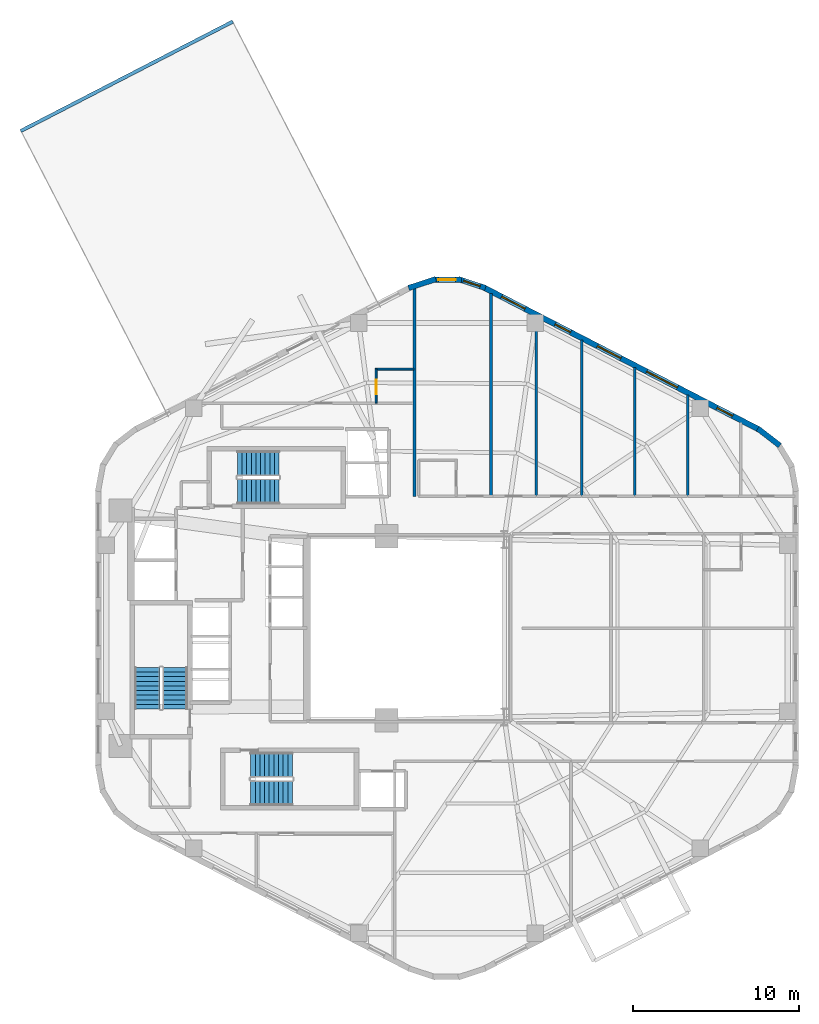
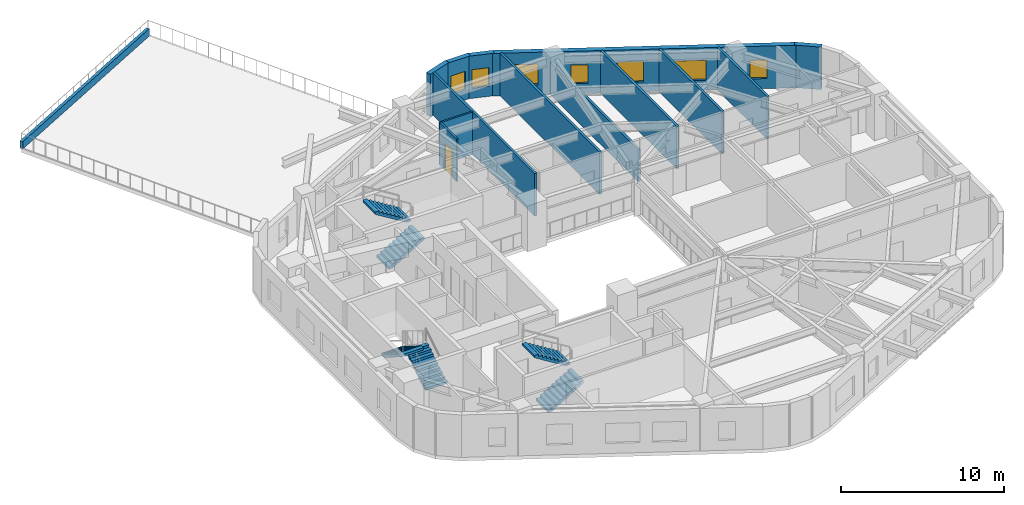
# One storey, part 6 of 8: 14 walls, 7 windows, 6 stair flights, 1 door, 8 openings, 3 elements without a shape of their own.
"""IFC4 building model written with IfcOpenShell, lengths in metres."""

import ifcopenshell
import ifcopenshell.guid

model = None  # the IFC model being written
_history = None  # IfcOwnerHistory: only IFC2X3 demands one
_inside = {}  # id of a spatial element -> (the spatial element, [elements in it])
_under = {}  # id of a project, library or spatial element -> (it, [spatial elements below it])
_declared = {}  # id of a project -> (the project, [libraries it declares])
_typed = {}  # id of a type object -> (the type object, [elements of that type])
_made_of = {}  # id of a material, layer set ... -> (it, [elements and type objects made of it])


def new_model(schema):
    """Start an empty IFC model of exactly this schema.

    Asked for "IFC4X3", IfcOpenShell would pick the latest addendum, in which some entities
    have other attributes; the version numbers below select the first issue.
    IFC2X3 requires an IfcOwnerHistory on every rooted entity: one is made here for all.
    """
    global model, _history
    if schema == "IFC4X3":
        model = ifcopenshell.file(schema_version=(4, 3, 0, 0))
    else:
        model = ifcopenshell.file(schema=schema)
    _inside.clear()
    _under.clear()
    _declared.clear()
    _typed.clear()
    _made_of.clear()
    _history = None
    if model.schema == "IFC2X3":
        org = make("IfcOrganization", Name="unknown")
        user = make(
            "IfcPersonAndOrganization",
            ThePerson=make("IfcPerson", FamilyName="unknown"),
            TheOrganization=org,
        )
        app = make(
            "IfcApplication",
            ApplicationDeveloper=org,
            Version="unknown",
            ApplicationFullName="unknown",
            ApplicationIdentifier="unknown",
        )
        _history = make(
            "IfcOwnerHistory",
            OwningUser=user,
            OwningApplication=app,
            ChangeAction="ADDED",
            CreationDate=0,
        )
    return model


def make(cls, **values):
    """One entity of the class cls with the attributes given. An attribute that is None is left unset."""
    return model.create_entity(
        cls, **{name: value for name, value in values.items() if value is not None}
    )


def rooted(cls, **values):
    """An entity with a GlobalId (a new one), such as an element, a storey or a relation."""
    return make(cls, GlobalId=ifcopenshell.guid.new(), OwnerHistory=_history, **values)


def si_unit(unit_type, name, prefix=None):
    """IfcSIUnit, for example si_unit("LENGTHUNIT", "METRE", prefix="MILLI")."""
    return make("IfcSIUnit", UnitType=unit_type, Prefix=prefix, Name=name)


def assignment(units):
    """IfcUnitAssignment: the units of a project."""
    return None if units is None else make("IfcUnitAssignment", Units=units)


def point(xyz):
    """IfcCartesianPoint."""
    return None if xyz is None else make("IfcCartesianPoint", Coordinates=xyz)


def direction(xyz):
    """IfcDirection."""
    return None if xyz is None else make("IfcDirection", DirectionRatios=xyz)


def frame(location, z_axis=None, x_axis=None):
    """IfcAxis2Placement3D, a coordinate frame: its origin and axes. An axis left out is left unset."""
    return make(
        "IfcAxis2Placement3D",
        Location=point(location),
        Axis=direction(z_axis),
        RefDirection=direction(x_axis),
    )


def frame_2d(location, x_axis=None):
    """IfcAxis2Placement2D, a coordinate frame in the plane: its origin and x axis."""
    return make(
        "IfcAxis2Placement2D", Location=point(location), RefDirection=direction(x_axis)
    )


def origin():
    """The frame at (0, 0, 0) with its axes left unset."""
    return frame((0.0, 0.0, 0.0))


def place(relative_to, where):
    """IfcLocalPlacement: puts the frame where relative to a parent placement (None: the world)."""
    return make(
        "IfcLocalPlacement", PlacementRelTo=relative_to, RelativePlacement=where
    )


def context(
    kind, dimensions, precision=None, world=None, true_north=None, identifier=None
):
    """IfcGeometricRepresentationContext, for example the 3D "Model" context."""
    return make(
        "IfcGeometricRepresentationContext",
        ContextIdentifier=identifier,
        ContextType=kind,
        CoordinateSpaceDimension=dimensions,
        Precision=precision,
        WorldCoordinateSystem=world,
        TrueNorth=true_north,
    )


def subcontext(parent, identifier, kind, view, scale=None):
    """IfcGeometricRepresentationSubContext, for example "Body" below "Model"."""
    return make(
        "IfcGeometricRepresentationSubContext",
        ContextIdentifier=identifier,
        ContextType=kind,
        ParentContext=parent,
        TargetScale=scale,
        TargetView=view,
    )


def project(units=None, contexts=None):
    """IfcProject with its units and contexts."""
    return rooted(
        "IfcProject",
        Name="project",
        RepresentationContexts=contexts,
        UnitsInContext=assignment(units),
    )


def spatial(cls, under=None, at=None, **own):
    """A site, building, storey or space (cls), placed at a placement, below another one or the project."""
    s = rooted(cls, ObjectPlacement=at, **own)
    if under is not None:
        _under.setdefault(under.id(), (under, []))[1].append(s)
    return s


def polyline(points):
    """IfcPolyline through the points."""
    return make("IfcPolyline", Points=[point(p) for p in points])


def profile(cls, at=None, kind="AREA", **sizes):
    """A parametric profile (cls). Its sizes go by their IFC names, for example OverallWidth=200.0."""
    return make(cls, ProfileType=kind, Position=at, **sizes)


def rectangle(**sizes):
    """IfcRectangleProfileDef."""
    return profile("IfcRectangleProfileDef", **sizes)


def outline(outer, holes=None, kind="AREA"):
    """IfcArbitraryClosedProfileDef: a profile drawn as a closed curve; with holes, ...WithVoids."""
    if holes is None:
        return make("IfcArbitraryClosedProfileDef", ProfileType=kind, OuterCurve=outer)
    return make(
        "IfcArbitraryProfileDefWithVoids",
        ProfileType=kind,
        OuterCurve=outer,
        InnerCurves=holes,
    )


def extrude(swept, where, along, depth):
    """IfcExtrudedAreaSolid: the profile swept, set in the frame where, extruded along a direction by depth."""
    return make(
        "IfcExtrudedAreaSolid",
        SweptArea=swept,
        Position=where,
        ExtrudedDirection=direction(along),
        Depth=depth,
    )


def shape(context_of_items, identifier, shape_type, items):
    """IfcShapeRepresentation: the items that make up one representation, for example the "Body"."""
    return make(
        "IfcShapeRepresentation",
        ContextOfItems=context_of_items,
        RepresentationIdentifier=identifier,
        RepresentationType=shape_type,
        Items=items,
    )


def material(Name=None, Category=None):
    """IfcMaterial."""
    return make("IfcMaterial", Name=Name, Category=Category)


def layer(
    of_material, thickness, ventilated=None, Name=None, Category=None, Priority=None
):
    """IfcMaterialLayer: one layer of a wall or slab, of a material (None: an air gap)."""
    return make(
        "IfcMaterialLayer",
        Material=of_material,
        LayerThickness=thickness,
        IsVentilated=ventilated,
        Name=Name,
        Category=Category,
        Priority=Priority,
    )


def layer_set(layers, Name=None):
    """IfcMaterialLayerSet."""
    return make("IfcMaterialLayerSet", MaterialLayers=layers, LayerSetName=Name)


def made_of(thing, what):
    """Note that an element or type object is made of a material, layer set ...; save() writes the relation."""
    if what is not None:
        _made_of.setdefault(what.id(), (what, []))[1].append(thing)
    return thing


def type_object(cls, material=None, **own):
    """A type object (cls), such as IfcWallType, which elements share."""
    return made_of(rooted(cls, **own), material)


def element(
    cls,
    number,
    at=None,
    inside=None,
    cuts=None,
    type_object=None,
    material=None,
    context=None,
    identifier="Body",
    shape_type=None,
    held_by="IfcProductDefinitionShape",
    body=None,
    shapes=None,
    **own,
):
    """One element of the class cls, such as IfcWall. Its Tag is "e" and its number.

    at: its placement. inside: the storey or other place that contains it. cuts: it is an
    opening in that element (IfcRelVoidsElement). A single representation is given by context,
    identifier, shape_type and body (its items); several are given by shapes. held_by: the class
    of the entity that holds the representations. save() writes the other relations.
    """
    e = rooted(cls, Tag="e%d" % number, ObjectPlacement=at, **own)
    if body is not None:
        shapes = [shape(context, identifier, shape_type, body)]
    if shapes is not None:
        e.Representation = make(held_by, Representations=shapes)
    if inside is not None:
        _inside.setdefault(inside.id(), (inside, []))[1].append(e)
    if cuts is not None:
        rooted(
            "IfcRelVoidsElement", RelatingBuildingElement=cuts, RelatedOpeningElement=e
        )
    if type_object is not None:
        _typed.setdefault(type_object.id(), (type_object, []))[1].append(e)
    return made_of(e, material)


def fill(opening, filler):
    """IfcRelFillsElement: the door or window that sits in an opening."""
    return rooted(
        "IfcRelFillsElement",
        RelatingOpeningElement=opening,
        RelatedBuildingElement=filler,
    )


def aggregate(whole, parts):
    """IfcRelAggregates: a whole, such as a stair, and the parts it consists of."""
    return rooted("IfcRelAggregates", RelatingObject=whole, RelatedObjects=parts)


def save(model, path):
    """Write the relations noted so far, then the file.

    IfcRelAggregates (storeys below a building ...), IfcRelContainedInSpatialStructure (elements
    in a storey), IfcRelDefinesByType, IfcRelAssociatesMaterial and IfcRelDeclares: one each for
    every whole, place, type object, material and project.
    """
    for whole, parts in _under.values():
        aggregate(whole, parts)
    for where, things in _inside.values():
        rooted(
            "IfcRelContainedInSpatialStructure",
            RelatedElements=things,
            RelatingStructure=where,
        )
    for kind, things in _typed.values():
        rooted("IfcRelDefinesByType", RelatedObjects=things, RelatingType=kind)
    for what, things in _made_of.values():
        rooted("IfcRelAssociatesMaterial", RelatedObjects=things, RelatingMaterial=what)
    for by, libraries in _declared.values():
        rooted("IfcRelDeclares", RelatingContext=by, RelatedDefinitions=libraries)
    model.write(path)


model = new_model("IFC4")

# Units and contexts
model_context = context("Model", 3, precision=1e-05, world=origin(), true_north=direction((0.0, 1.0)))
body_context = subcontext(model_context, "Body", "Model", "MODEL_VIEW")
ifc_project = project(units=[si_unit("LENGTHUNIT", "METRE"), si_unit("AREAUNIT", "SQUARE_METRE"), si_unit("VOLUMEUNIT", "CUBIC_METRE"), si_unit("PLANEANGLEUNIT", "RADIAN"), si_unit("MASSUNIT", "GRAM", prefix="KILO"), si_unit("THERMODYNAMICTEMPERATUREUNIT", "KELVIN"), si_unit("POWERUNIT", "WATT")], contexts=[model_context])

# Site, building, storey
site_placement = place(None, origin())
site = spatial("IfcSite", under=ifc_project, at=site_placement, CompositionType="ELEMENT")
building_placement = place(site_placement, origin())
building = spatial("IfcBuilding", under=site, at=building_placement, Name="Skarre Station Tower", CompositionType="ELEMENT")
storey_placement = place(building_placement, frame((0.0, 0.0, 149.85009765625)))
storey = spatial("IfcBuildingStorey", under=building, at=storey_placement, Name="L40", CompositionType="ELEMENT", Elevation=149.85009765625)

# Wall
ifc_material_1 = material(Name="Insulated Timber-Stud Gypsum Partition", Category="wood")
ifc_layer_1 = layer(ifc_material_1, 0.1201171875, Name="Insulated Timber-Stud Gypsum Partition")
ifc_layer_set_1 = layer_set([ifc_layer_1], Name="Insulated Timber-Stud Gypsum Partition")
wall_type_1 = type_object("IfcWallType", Name="Internal Suite Acoustic Partition 120", PredefinedType="PARTITIONING", material=ifc_layer_set_1)
wall_1_placement = place(storey_placement, frame((34.0, 39.639892578125, 0.0), z_axis=(0.0, 0.0, 1.0), x_axis=(-1.0, 0.0, 0.0)))
element("IfcWall", 1, at=wall_1_placement, inside=storey, type_object=wall_type_1, Name="L40 Interior Partition WL-PT-L40-NWW1-EW3", PredefinedType="PARTITIONING", context=body_context, shape_type="SweptSolid", body=[
    extrude(rectangle(XDim=2.340087890625, YDim=0.1201171875, at=frame_2d((1.169921875, 0.0))), origin(), (0.0, 0.0, 1.0), 3.18994140625),
])

# Wall, opening, door
wall_2_placement = place(storey_placement, frame((31.719970703125, 39.639892578125, 0.0), z_axis=(0.0, 0.0, 1.0), x_axis=(0.0, -1.0, 0.0)))
wall_2 = element("IfcWall", 2, at=wall_2_placement, inside=storey, type_object=wall_type_1, Name="L40 Interior Partition WL-PT-L40-NWW1-EW4", PredefinedType="PARTITIONING", context=body_context, shape_type="SweptSolid", body=[
    extrude(rectangle(XDim=2.059814453125, YDim=0.1201171875, at=frame_2d((1.02978515625, 0.0))), origin(), (0.0, 0.0, 1.0), 3.18994140625),
])
opening_1_placement = place(wall_2_placement, frame((0.64990234375, 0.0, 0.0)))
opening_1 = element("IfcOpeningElement", 3, at=opening_1_placement, cuts=wall_2, Name="Opening DR-INT86", PredefinedType="OPENING", context=body_context, shape_type="SweptSolid", body=[
    extrude(rectangle(XDim=0.860107421875, YDim=2.0, at=frame_2d((0.43017578125, 1.0))), frame((0.0, 0.070068359375, 0.0), z_axis=(0.0, -1.0, 0.0), x_axis=(1.0, 0.0, 0.0)), (0.0, 0.0, 1.0), 0.14013671875),
])
ifc_material_2 = material(Name="Nordic Birch Acoustic Solid-Core Timber Leaf", Category="wood")
door_type = type_object("IfcDoorType", Name="Internal En-Suite & Bedroom Door 860x2100", OperationType="SINGLE_SWING_LEFT", PredefinedType="DOOR", material=ifc_material_2)
door_placement = place(opening_1_placement, origin())
door = element("IfcDoor", 4, at=door_placement, inside=storey, type_object=door_type, Name="L40 NWW1 En-suite Door", OperationType="SINGLE_SWING_RIGHT", OverallHeight=2.0, OverallWidth=0.860107421875, PredefinedType="DOOR", context=body_context, shape_type="SweptSolid", body=[
    extrude(rectangle(XDim=0.860107421875, YDim=2.0, at=frame_2d((0.43017578125, 1.0))), frame((0.0, 0.02490234375, 0.0), z_axis=(0.0, -1.0, 0.0), x_axis=(1.0, 0.0, 0.0)), (0.0, 0.0, 1.0), 0.050048828125),
])
fill(opening_1, door)

# Wall, openings, windows
ifc_material_3 = material(Name="Precast concrete C45/55", Category="concrete")
ifc_layer_2 = layer(ifc_material_3, 0.340087890625, Name="Precast concrete C45/55")
ifc_layer_set_2 = layer_set([ifc_layer_2], Name="Precast concrete C45/55")
wall_type_2 = type_object("IfcWallType", Name="Nordic Honed Precast Facet Wall 340", PredefinedType="STANDARD", material=ifc_layer_set_2)
wall_3_placement = place(storey_placement, frame((38.23095703125, 44.55810546875, 0.0), z_axis=(0.0, 0.0, 1.0), x_axis=(0.888613612362, -0.458656568606, 0.0)))
wall_3 = element("IfcWall", 5, at=wall_3_placement, inside=storey, type_object=wall_type_2, Name="L40 Facet 0 Nordic Precast Masonry Wall", PredefinedType="STANDARD", context=body_context, shape_type="SweptSolid", body=[
    extrude(rectangle(XDim=18.680908203125, YDim=0.340087890625, at=frame_2d((9.34033203125, 0.0))), origin(), (0.0, 0.0, 1.0), 3.18994140625),
])
opening_2_placement = place(wall_3_placement, frame((1.195068359375, 0.0, 0.75)))
opening_2 = element("IfcOpeningElement", 6, at=opening_2_placement, cuts=wall_3, Name="Opening WN-Z2A", PredefinedType="OPENING", context=body_context, shape_type="SweptSolid", body=[
    extrude(rectangle(XDim=1.60009765625, YDim=1.550048828125, at=frame_2d((0.800048828125, 0.77490234375))), frame((0.0, 0.179931640625, 0.0), z_axis=(0.0, -1.0, 0.0), x_axis=(1.0, 0.0, 0.0)), (0.0, 0.0, 1.0), 0.360107421875),
])
opening_3_placement = place(wall_3_placement, frame((4.8310546875, 0.0, 0.75)))
opening_3 = element("IfcOpeningElement", 7, at=opening_3_placement, cuts=wall_3, Name="Opening WN-SLT", PredefinedType="OPENING", context=body_context, shape_type="SweptSolid", body=[
    extrude(rectangle(XDim=1.050048828125, YDim=1.39990234375, at=frame_2d((0.52490234375, 0.699951171875))), frame((0.0, 0.179931640625, 0.0), z_axis=(0.0, -1.0, 0.0), x_axis=(1.0, 0.0, 0.0)), (0.0, 0.0, 1.0), 0.360107421875),
])
opening_4_placement = place(wall_3_placement, frame((7.697998046875, 0.0, 0.75)))
opening_4 = element("IfcOpeningElement", 8, at=opening_4_placement, cuts=wall_3, Name="Opening WN-Z2A", PredefinedType="OPENING", context=body_context, shape_type="SweptSolid", body=[
    extrude(rectangle(XDim=1.60009765625, YDim=1.550048828125, at=frame_2d((0.800048828125, 0.77490234375))), frame((0.0, 0.179931640625, 0.0), z_axis=(0.0, -1.0, 0.0), x_axis=(1.0, 0.0, 0.0)), (0.0, 0.0, 1.0), 0.360107421875),
])
opening_5_placement = place(wall_3_placement, frame((11.0458984375, 0.0, 0.75)))
opening_5 = element("IfcOpeningElement", 9, at=opening_5_placement, cuts=wall_3, Name="Opening WN-Z2B", PredefinedType="OPENING", context=body_context, shape_type="SweptSolid", body=[
    extrude(rectangle(XDim=2.10009765625, YDim=1.5, at=frame_2d((1.050048828125, 0.75))), frame((0.0, 0.179931640625, 0.0), z_axis=(0.0, -1.0, 0.0), x_axis=(1.0, 0.0, 0.0)), (0.0, 0.0, 1.0), 0.360107421875),
])
opening_6_placement = place(wall_3_placement, frame((15.8330078125, 0.0, 0.75)))
opening_6 = element("IfcOpeningElement", 10, at=opening_6_placement, cuts=wall_3, Name="Opening WN-SLT", PredefinedType="OPENING", context=body_context, shape_type="SweptSolid", body=[
    extrude(rectangle(XDim=1.050048828125, YDim=1.39990234375, at=frame_2d((0.52490234375, 0.699951171875))), frame((0.0, 0.179931640625, 0.0), z_axis=(0.0, -1.0, 0.0), x_axis=(1.0, 0.0, 0.0)), (0.0, 0.0, 1.0), 0.360107421875),
])
ifc_material_4 = material(Name="Low-Iron Triple Glazing with Bronze Anodized Frame", Category="glass")
window_type_1 = type_object("IfcWindowType", Name="Nordic Corner Slot Window 1050x1400", PartitioningType="SINGLE_PANEL", PredefinedType="WINDOW", material=ifc_material_4)
window_1_placement = place(opening_3_placement, origin())
window_1 = element("IfcWindow", 11, at=window_1_placement, inside=storey, type_object=window_type_1, Name="L40 Facade Window WL-FAC-L40-F0-2", OverallHeight=1.39990234375, OverallWidth=1.050048828125, PartitioningType="SINGLE_PANEL", PredefinedType="WINDOW", context=body_context, shape_type="SweptSolid", body=[
    extrude(rectangle(XDim=1.050048828125, YDim=1.39990234375, at=frame_2d((0.52490234375, 0.699951171875))), frame((0.0, 0.030029296875, 0.0), z_axis=(0.0, -1.0, 0.0), x_axis=(1.0, 0.0, 0.0)), (0.0, 0.0, 1.0), 0.06005859375),
])
fill(opening_3, window_1)
window_2_placement = place(opening_6_placement, origin())
window_2 = element("IfcWindow", 12, at=window_2_placement, inside=storey, type_object=window_type_1, Name="L40 Facade Window WL-FAC-L40-F0-5", OverallHeight=1.39990234375, OverallWidth=1.050048828125, PartitioningType="SINGLE_PANEL", PredefinedType="WINDOW", context=body_context, shape_type="SweptSolid", body=[
    extrude(rectangle(XDim=1.050048828125, YDim=1.39990234375, at=frame_2d((0.52490234375, 0.699951171875))), frame((0.0, 0.030029296875, 0.0), z_axis=(0.0, -1.0, 0.0), x_axis=(1.0, 0.0, 0.0)), (0.0, 0.0, 1.0), 0.06005859375),
])
fill(opening_6, window_2)
window_type_2 = type_object("IfcWindowType", Name="Nordic Residential Tall Window 1600x1550", PartitioningType="SINGLE_PANEL", PredefinedType="WINDOW", material=ifc_material_4)
window_3_placement = place(opening_2_placement, origin())
window_3 = element("IfcWindow", 13, at=window_3_placement, inside=storey, type_object=window_type_2, Name="L40 Facade Window WL-FAC-L40-F0-1", OverallHeight=1.550048828125, OverallWidth=1.60009765625, PartitioningType="SINGLE_PANEL", PredefinedType="WINDOW", context=body_context, shape_type="SweptSolid", body=[
    extrude(rectangle(XDim=1.60009765625, YDim=1.550048828125, at=frame_2d((0.800048828125, 0.77490234375))), frame((0.0, 0.030029296875, 0.0), z_axis=(0.0, -1.0, 0.0), x_axis=(1.0, 0.0, 0.0)), (0.0, 0.0, 1.0), 0.06005859375),
])
fill(opening_2, window_3)
window_4_placement = place(opening_4_placement, origin())
window_4 = element("IfcWindow", 14, at=window_4_placement, inside=storey, type_object=window_type_2, Name="L40 Facade Window WL-FAC-L40-F0-3", OverallHeight=1.550048828125, OverallWidth=1.60009765625, PartitioningType="SINGLE_PANEL", PredefinedType="WINDOW", context=body_context, shape_type="SweptSolid", body=[
    extrude(rectangle(XDim=1.60009765625, YDim=1.550048828125, at=frame_2d((0.800048828125, 0.77490234375))), frame((0.0, 0.030029296875, 0.0), z_axis=(0.0, -1.0, 0.0), x_axis=(1.0, 0.0, 0.0)), (0.0, 0.0, 1.0), 0.06005859375),
])
fill(opening_4, window_4)
window_type_3 = type_object("IfcWindowType", Name="Nordic Residential Twin Window 2100x1500", PartitioningType="SINGLE_PANEL", PredefinedType="WINDOW", material=ifc_material_4)
window_5_placement = place(opening_5_placement, origin())
window_5 = element("IfcWindow", 15, at=window_5_placement, inside=storey, type_object=window_type_3, Name="L40 Facade Window WL-FAC-L40-F0-4", OverallHeight=1.5, OverallWidth=2.10009765625, PartitioningType="SINGLE_PANEL", PredefinedType="WINDOW", context=body_context, shape_type="SweptSolid", body=[
    extrude(rectangle(XDim=2.10009765625, YDim=1.5, at=frame_2d((1.050048828125, 0.75))), frame((0.0, 0.030029296875, 0.0), z_axis=(0.0, -1.0, 0.0), x_axis=(1.0, 0.0, 0.0)), (0.0, 0.0, 1.0), 0.06005859375),
])
fill(opening_5, window_5)

# Walls
ifc_layer_3 = layer(ifc_material_3, 0.330078125, Name="Precast concrete C45/55")
ifc_layer_set_3 = layer_set([ifc_layer_3], Name="Precast concrete C45/55")
wall_type_3 = type_object("IfcWallType", Name="Nordic Rounded Corner Precast Wall 330", PredefinedType="STANDARD", material=ifc_layer_set_3)
wall_4_placement = place(storey_placement, frame((54.757080078125, 36.050048828125, 0.0), z_axis=(0.0, 0.0, 1.0), x_axis=(0.790621329885, -0.612305408053, 0.0)))
element("IfcWall", 16, at=wall_4_placement, inside=storey, type_object=wall_type_3, Name="L40 Rounded Corner Precast Wall F0-1", PredefinedType="STANDARD", context=body_context, shape_type="SweptSolid", body=[
    extrude(rectangle(XDim=1.67578125, YDim=0.330078125, at=frame_2d((0.837890625, 0.0))), origin(), (0.0, 0.0, 1.0), 3.18994140625),
])
wall_5_placement = place(storey_placement, frame((33.680908203125, 44.531982421875, 0.0), z_axis=(0.0, 0.0, 1.0), x_axis=(0.949937416267, 0.312440242569, 0.0)))
element("IfcWall", 17, at=wall_5_placement, inside=storey, type_object=wall_type_3, Name="L40 Rounded Corner Precast Wall F1-1", PredefinedType="STANDARD", context=body_context, shape_type="SweptSolid", body=[
    extrude(rectangle(XDim=1.72216796875, YDim=0.330078125, at=frame_2d((0.861083984375, 0.0))), origin(), (0.0, 0.0, 1.0), 3.18994140625),
])

# Wall, opening, window
wall_6_placement = place(storey_placement, frame((35.138916015625, 45.041015625, 0.0), z_axis=(0.0, 0.0, 1.0), x_axis=(1.0, 0.0, 0.0)))
wall_6 = element("IfcWall", 18, at=wall_6_placement, inside=storey, type_object=wall_type_3, Name="L40 Rounded Corner Precast Wall F1-2", PredefinedType="STANDARD", context=body_context, shape_type="SweptSolid", body=[
    extrude(rectangle(XDim=1.72216796875, YDim=0.330078125, at=frame_2d((0.861083984375, 0.0))), origin(), (0.0, 0.0, 1.0), 3.18994140625),
])
opening_7_placement = place(wall_6_placement, frame((0.3359375, 0.0, 0.75)))
opening_7 = element("IfcOpeningElement", 19, at=opening_7_placement, cuts=wall_6, Name="Opening WN-SLT", PredefinedType="OPENING", context=body_context, shape_type="SweptSolid", body=[
    extrude(rectangle(XDim=1.050048828125, YDim=1.39990234375, at=frame_2d((0.52490234375, 0.699951171875))), frame((0.0, 0.175048828125, 0.0), z_axis=(0.0, -1.0, 0.0), x_axis=(1.0, 0.0, 0.0)), (0.0, 0.0, 1.0), 0.35009765625),
])
window_6_placement = place(opening_7_placement, origin())
window_6 = element("IfcWindow", 20, at=window_6_placement, inside=storey, type_object=window_type_1, Name="L40 Apex Corner Slot Window F1-2", OverallHeight=1.39990234375, OverallWidth=1.050048828125, PartitioningType="SINGLE_PANEL", PredefinedType="WINDOW", context=body_context, shape_type="SweptSolid", body=[
    extrude(rectangle(XDim=1.050048828125, YDim=1.39990234375, at=frame_2d((0.52490234375, 0.699951171875))), frame((0.0, 0.030029296875, 0.0), z_axis=(0.0, -1.0, 0.0), x_axis=(1.0, 0.0, 0.0)), (0.0, 0.0, 1.0), 0.06005859375),
])
fill(opening_7, window_6)

wall_7_placement = place(storey_placement, frame((36.68310546875, 45.070068359375, 0.0), z_axis=(0.0, 0.0, 1.0), x_axis=(0.949937416267, -0.312440242569, 0.0)))
wall_7 = element("IfcWall", 21, at=wall_7_placement, inside=storey, type_object=wall_type_3, Name="L40 Rounded Corner Precast Wall F1-3", PredefinedType="STANDARD", context=body_context, shape_type="SweptSolid", body=[
    extrude(rectangle(XDim=1.72216796875, YDim=0.330078125, at=frame_2d((0.861083984375, 0.0))), origin(), (0.0, 0.0, 1.0), 3.18994140625),
])
opening_8_placement = place(wall_7_placement, frame((0.3359375, 0.0, 0.75)))
opening_8 = element("IfcOpeningElement", 22, at=opening_8_placement, cuts=wall_7, Name="Opening WN-SLT", PredefinedType="OPENING", context=body_context, shape_type="SweptSolid", body=[
    extrude(rectangle(XDim=1.050048828125, YDim=1.39990234375, at=frame_2d((0.52490234375, 0.699951171875))), frame((0.0, 0.175048828125, 0.0), z_axis=(0.0, -1.0, 0.0), x_axis=(1.0, 0.0, 0.0)), (0.0, 0.0, 1.0), 0.35009765625),
])
window_7_placement = place(opening_8_placement, origin())
window_7 = element("IfcWindow", 23, at=window_7_placement, inside=storey, type_object=window_type_1, Name="L40 Apex Corner Slot Window F1-3", OverallHeight=1.39990234375, OverallWidth=1.050048828125, PartitioningType="SINGLE_PANEL", PredefinedType="WINDOW", context=body_context, shape_type="SweptSolid", body=[
    extrude(rectangle(XDim=1.050048828125, YDim=1.39990234375, at=frame_2d((0.52490234375, 0.699951171875))), frame((0.0, 0.030029296875, 0.0), z_axis=(0.0, -1.0, 0.0), x_axis=(1.0, 0.0, 0.0)), (0.0, 0.0, 1.0), 0.06005859375),
])
fill(opening_8, window_7)

# Walls
ifc_material_5 = material(Name="Precast concrete C40/50", Category="concrete")
ifc_layer_4 = layer(ifc_material_5, 0.2099609375, Name="Precast concrete C40/50")
ifc_layer_set_4 = layer_set([ifc_layer_4], Name="Precast concrete C40/50")
wall_type_4 = type_object("IfcWallType", Name="Sky-Bar Terrace Parapet Wall 210", PredefinedType="PARAPET", material=ifc_layer_set_4)
wall_8_placement = place(storey_placement, frame((10.279052734375, 54.006103515625, 0.0), z_axis=(0.0, 0.0, 1.0), x_axis=(0.888602378714, 0.458678332324, 0.0)))
element("IfcWall", 24, at=wall_8_placement, inside=storey, type_object=wall_type_4, Name="L40 SB-3 Prow Parapet Upstand", PredefinedType="PARAPET", context=body_context, shape_type="SweptSolid", body=[
    extrude(rectangle(XDim=14.400146484375, YDim=0.2099609375, at=frame_2d((7.2001953125, 0.0))), origin(), (0.0, 0.0, 1.0), 0.5498046875),
])
ifc_material_6 = material(Name="Acoustic Steel-Stud Gypsum Partition", Category="steel")
ifc_layer_5 = layer(ifc_material_6, 0.1650390625, Name="Acoustic Steel-Stud Gypsum Partition")
ifc_layer_set_5 = layer_set([ifc_layer_5], Name="Acoustic Steel-Stud Gypsum Partition")
wall_type_5 = type_object("IfcWallType", Name="Suite Demising Acoustic Partition 165", PredefinedType="PARTITIONING", material=ifc_layer_set_5)
wall_9_placement = place(storey_placement, frame((34.0400390625, 31.9599609375, 0.0), z_axis=(0.0, 0.0, 1.0), x_axis=(0.0, 1.0, 0.0)))
element("IfcWall", 25, at=wall_9_placement, inside=storey, type_object=wall_type_5, Name="L40 Interior Partition WL-PT-L40-NW-WBND", PredefinedType="PARTITIONING", context=body_context, shape_type="SweptSolid", body=[
    extrude(rectangle(XDim=12.55810546875, YDim=0.1650390625, at=frame_2d((6.279052734375, 0.0))), origin(), (0.0, 0.0, 1.0), 3.18994140625),
])
wall_10_placement = place(storey_placement, frame((38.64794921875, 31.969970703125, 0.0), z_axis=(0.0, 0.0, 1.0), x_axis=(0.0, 1.0, 0.0)))
element("IfcWall", 26, at=wall_10_placement, inside=storey, type_object=wall_type_5, Name="L40 Interior Partition WL-PT-L40-NW-P1", PredefinedType="PARTITIONING", context=body_context, shape_type="SweptSolid", body=[
    extrude(rectangle(XDim=12.238037109375, YDim=0.1650390625, at=frame_2d((6.119140625, 0.0))), origin(), (0.0, 0.0, 1.0), 3.18994140625),
])
wall_11_placement = place(storey_placement, frame((41.387939453125, 31.969970703125, 0.0), z_axis=(0.0, 0.0, 1.0), x_axis=(0.0, 1.0, 0.0)))
element("IfcWall", 27, at=wall_11_placement, inside=storey, type_object=wall_type_5, Name="L40 Interior Partition WL-PT-L40-NW-P2", PredefinedType="PARTITIONING", context=body_context, shape_type="SweptSolid", body=[
    extrude(rectangle(XDim=10.822998046875, YDim=0.1650390625, at=frame_2d((5.41162109375, 0.0))), origin(), (0.0, 0.0, 1.0), 2.419921875),
])
wall_12_placement = place(storey_placement, frame((44.12890625, 31.969970703125, 0.0), z_axis=(0.0, 0.0, 1.0), x_axis=(0.0, 1.0, 0.0)))
element("IfcWall", 28, at=wall_12_placement, inside=storey, type_object=wall_type_5, Name="L40 Interior Partition WL-PT-L40-NW-P3", PredefinedType="PARTITIONING", context=body_context, shape_type="SweptSolid", body=[
    extrude(rectangle(XDim=9.408935546875, YDim=0.1650390625, at=frame_2d((4.70458984375, 0.0))), origin(), (0.0, 0.0, 1.0), 3.18994140625),
])
wall_13_placement = place(storey_placement, frame((47.325927734375, 31.969970703125, 0.0), z_axis=(0.0, 0.0, 1.0), x_axis=(0.0, 1.0, 0.0)))
element("IfcWall", 29, at=wall_13_placement, inside=storey, type_object=wall_type_5, Name="L40 Interior Partition WL-PT-L40-NW-P4", PredefinedType="PARTITIONING", context=body_context, shape_type="SweptSolid", body=[
    extrude(rectangle(XDim=7.759033203125, YDim=0.1650390625, at=frame_2d((3.87939453125, 0.0))), origin(), (0.0, 0.0, 1.0), 3.18994140625),
])
wall_14_placement = place(storey_placement, frame((50.52294921875, 31.969970703125, 0.0), z_axis=(0.0, 0.0, 1.0), x_axis=(0.0, 1.0, 0.0)))
element("IfcWall", 30, at=wall_14_placement, inside=storey, type_object=wall_type_5, Name="L40 Interior Partition WL-PT-L40-NW-P5", PredefinedType="PARTITIONING", context=body_context, shape_type="SweptSolid", body=[
    extrude(rectangle(XDim=6.10791015625, YDim=0.1650390625, at=frame_2d((3.053955078125, 0.0))), origin(), (0.0, 0.0, 1.0), 3.18994140625),
])

# Stair, stair flights
ifc_material_7 = material(Name="Concrete C40/50", Category="concrete")
stair_type_1 = type_object("IfcStairType", Name="Reinforced Concrete Exit Stair ST-1", PredefinedType="HALF_TURN_STAIR", material=ifc_material_7)
stair_1_placement = place(storey_placement, origin())
stair_1 = element("IfcStair", 31, at=stair_1_placement, inside=storey, type_object=stair_type_1, Name="L40 Core Exit Stair ST-1", PredefinedType="HALF_TURN_STAIR")
stair_flight_type_1 = type_object("IfcStairFlightType", Name="Reinforced Concrete Stair Flight ST-1", PredefinedType="STRAIGHT", material=ifc_material_7)
stair_flight_1_placement = place(storey_placement, frame((19.590087890625, 19.1201171875, 0.0), z_axis=(0.0, 0.0, 1.0), x_axis=(0.0, 1.0, 0.0)))
stair_flight_1 = element("IfcStairFlight", 32, at=stair_flight_1_placement, type_object=stair_flight_type_1, Name="ST-1 flight 1", NumberOfRisers=10, NumberOfTreads=9, PredefinedType="STRAIGHT", RiserHeight=0.1725, TreadLength=0.28, context=body_context, shape_type="SweptSolid", body=[
    extrude(outline(polyline([(0.0, 0.0), (0.0, 0.172607421875), (0.280029296875, 0.172607421875), (0.280029296875, 0.344970703125), (0.56005859375, 0.344970703125), (0.56005859375, 0.517578125), (0.840087890625, 0.517578125), (0.840087890625, 0.68994140625), (1.1201171875, 0.68994140625), (1.1201171875, 0.862548828125), (1.39990234375, 0.862548828125), (1.39990234375, 1.034912109375), (1.679931640625, 1.034912109375), (1.679931640625, 1.20751953125), (1.9599609375, 1.20751953125), (1.9599609375, 1.3798828125), (2.239990234375, 1.3798828125), (2.239990234375, 1.552490234375), (2.52001953125, 1.552490234375), (2.52001953125, 1.72509765625), (2.52001953125, 1.37646484375), (0.285888671875, 0.0), (0.0, 0.0)])), frame((0.0, 0.760009765625, 0.0), z_axis=(0.0, -1.0, 0.0), x_axis=(1.0, 0.0, 0.0)), (0.0, 0.0, 1.0), 1.52001953125),
])
stair_flight_2_placement = place(storey_placement, frame((17.909912109375, 21.639892578125, 1.724853515625), z_axis=(0.0, 0.0, 1.0), x_axis=(0.0, -1.0, 0.0)))
stair_flight_2 = element("IfcStairFlight", 33, at=stair_flight_2_placement, type_object=stair_flight_type_1, Name="ST-1 flight 2", NumberOfRisers=10, NumberOfTreads=9, PredefinedType="STRAIGHT", RiserHeight=0.1725, TreadLength=0.28, context=body_context, shape_type="SweptSolid", body=[
    extrude(outline(polyline([(0.0, 0.0), (0.0, 0.172607421875), (0.280029296875, 0.172607421875), (0.280029296875, 0.344970703125), (0.56005859375, 0.344970703125), (0.56005859375, 0.517578125), (0.840087890625, 0.517578125), (0.840087890625, 0.68994140625), (1.1201171875, 0.68994140625), (1.1201171875, 0.862548828125), (1.39990234375, 0.862548828125), (1.39990234375, 1.034912109375), (1.679931640625, 1.034912109375), (1.679931640625, 1.20751953125), (1.9599609375, 1.20751953125), (1.9599609375, 1.3798828125), (2.239990234375, 1.3798828125), (2.239990234375, 1.552490234375), (2.52001953125, 1.552490234375), (2.52001953125, 1.72509765625), (2.52001953125, 1.37646484375), (0.285888671875, 0.0), (0.0, 0.0)])), frame((0.0, 0.760009765625, 0.0), z_axis=(0.0, -1.0, 0.0), x_axis=(1.0, 0.0, 0.0)), (0.0, 0.0, 1.0), 1.52001953125),
])
aggregate(stair_1, [stair_flight_1, stair_flight_2])

stair_type_2 = type_object("IfcStairType", Name="Reinforced Concrete Exit Stair ST-2", PredefinedType="HALF_TURN_STAIR", material=ifc_material_7)
stair_2_placement = place(storey_placement, origin())
stair_2 = element("IfcStair", 34, at=stair_2_placement, inside=storey, type_object=stair_type_2, Name="L40 Core Exit Stair ST-2", PredefinedType="HALF_TURN_STAIR")
stair_flight_type_2 = type_object("IfcStairFlightType", Name="Reinforced Concrete Stair Flight ST-2", PredefinedType="STRAIGHT", material=ifc_material_7)
stair_flight_3_placement = place(storey_placement, frame((24.14990234375, 14.06005859375, 0.0), z_axis=(0.0, 0.0, 1.0), x_axis=(1.0, 0.0, 0.0)))
stair_flight_3 = element("IfcStairFlight", 35, at=stair_flight_3_placement, type_object=stair_flight_type_2, Name="ST-2 flight 1", NumberOfRisers=10, NumberOfTreads=9, PredefinedType="STRAIGHT", RiserHeight=0.1725, TreadLength=0.28, context=body_context, shape_type="SweptSolid", body=[
    extrude(outline(polyline([(0.0, 0.0), (0.0, 0.172607421875), (0.280029296875, 0.172607421875), (0.280029296875, 0.344970703125), (0.56005859375, 0.344970703125), (0.56005859375, 0.517578125), (0.840087890625, 0.517578125), (0.840087890625, 0.68994140625), (1.1201171875, 0.68994140625), (1.1201171875, 0.862548828125), (1.39990234375, 0.862548828125), (1.39990234375, 1.034912109375), (1.679931640625, 1.034912109375), (1.679931640625, 1.20751953125), (1.9599609375, 1.20751953125), (1.9599609375, 1.3798828125), (2.239990234375, 1.3798828125), (2.239990234375, 1.552490234375), (2.52001953125, 1.552490234375), (2.52001953125, 1.72509765625), (2.52001953125, 1.37646484375), (0.285888671875, 0.0), (0.0, 0.0)])), frame((0.0, 0.760009765625, 0.0), z_axis=(0.0, -1.0, 0.0), x_axis=(1.0, 0.0, 0.0)), (0.0, 0.0, 1.0), 1.52001953125),
])
stair_flight_4_placement = place(storey_placement, frame((26.669921875, 15.739990234375, 1.724853515625), z_axis=(0.0, 0.0, 1.0), x_axis=(-1.0, 0.0, 0.0)))
stair_flight_4 = element("IfcStairFlight", 36, at=stair_flight_4_placement, type_object=stair_flight_type_2, Name="ST-2 flight 2", NumberOfRisers=10, NumberOfTreads=9, PredefinedType="STRAIGHT", RiserHeight=0.1725, TreadLength=0.28, context=body_context, shape_type="SweptSolid", body=[
    extrude(outline(polyline([(0.0, 0.0), (0.0, 0.172607421875), (0.280029296875, 0.172607421875), (0.280029296875, 0.344970703125), (0.56005859375, 0.344970703125), (0.56005859375, 0.517578125), (0.840087890625, 0.517578125), (0.840087890625, 0.68994140625), (1.1201171875, 0.68994140625), (1.1201171875, 0.862548828125), (1.39990234375, 0.862548828125), (1.39990234375, 1.034912109375), (1.679931640625, 1.034912109375), (1.679931640625, 1.20751953125), (1.9599609375, 1.20751953125), (1.9599609375, 1.3798828125), (2.239990234375, 1.3798828125), (2.239990234375, 1.552490234375), (2.52001953125, 1.552490234375), (2.52001953125, 1.72509765625), (2.52001953125, 1.37646484375), (0.285888671875, 0.0), (0.0, 0.0)])), frame((0.0, 0.760009765625, 0.0), z_axis=(0.0, -1.0, 0.0), x_axis=(1.0, 0.0, 0.0)), (0.0, 0.0, 1.0), 1.52001953125),
])
aggregate(stair_2, [stair_flight_3, stair_flight_4])

stair_type_3 = type_object("IfcStairType", Name="Reinforced Concrete Exit Stair ST-3", PredefinedType="HALF_TURN_STAIR", material=ifc_material_7)
stair_3_placement = place(storey_placement, origin())
stair_3 = element("IfcStair", 37, at=stair_3_placement, inside=storey, type_object=stair_type_3, Name="L40 Core Exit Stair ST-3", PredefinedType="HALF_TURN_STAIR")
stair_flight_type_3 = type_object("IfcStairFlightType", Name="Reinforced Concrete Stair Flight ST-3", PredefinedType="STRAIGHT", material=ifc_material_7)
stair_flight_5_placement = place(storey_placement, frame((23.35009765625, 32.260009765625, 0.0), z_axis=(0.0, 0.0, 1.0), x_axis=(1.0, 0.0, 0.0)))
stair_flight_5 = element("IfcStairFlight", 38, at=stair_flight_5_placement, type_object=stair_flight_type_3, Name="ST-3 flight 1", NumberOfRisers=10, NumberOfTreads=9, PredefinedType="STRAIGHT", RiserHeight=0.1725, TreadLength=0.28, context=body_context, shape_type="SweptSolid", body=[
    extrude(outline(polyline([(0.0, 0.0), (0.0, 0.172607421875), (0.280029296875, 0.172607421875), (0.280029296875, 0.344970703125), (0.56005859375, 0.344970703125), (0.56005859375, 0.517578125), (0.840087890625, 0.517578125), (0.840087890625, 0.68994140625), (1.1201171875, 0.68994140625), (1.1201171875, 0.862548828125), (1.39990234375, 0.862548828125), (1.39990234375, 1.034912109375), (1.679931640625, 1.034912109375), (1.679931640625, 1.20751953125), (1.9599609375, 1.20751953125), (1.9599609375, 1.3798828125), (2.239990234375, 1.3798828125), (2.239990234375, 1.552490234375), (2.52001953125, 1.552490234375), (2.52001953125, 1.72509765625), (2.52001953125, 1.37646484375), (0.285888671875, 0.0), (0.0, 0.0)])), frame((0.0, 0.760009765625, 0.0), z_axis=(0.0, -1.0, 0.0), x_axis=(1.0, 0.0, 0.0)), (0.0, 0.0, 1.0), 1.52001953125),
])
stair_flight_6_placement = place(storey_placement, frame((25.8701171875, 33.93994140625, 1.724853515625), z_axis=(0.0, 0.0, 1.0), x_axis=(-1.0, 0.0, 0.0)))
stair_flight_6 = element("IfcStairFlight", 39, at=stair_flight_6_placement, type_object=stair_flight_type_3, Name="ST-3 flight 2", NumberOfRisers=10, NumberOfTreads=9, PredefinedType="STRAIGHT", RiserHeight=0.1725, TreadLength=0.28, context=body_context, shape_type="SweptSolid", body=[
    extrude(outline(polyline([(0.0, 0.0), (0.0, 0.172607421875), (0.280029296875, 0.172607421875), (0.280029296875, 0.344970703125), (0.56005859375, 0.344970703125), (0.56005859375, 0.517578125), (0.840087890625, 0.517578125), (0.840087890625, 0.68994140625), (1.1201171875, 0.68994140625), (1.1201171875, 0.862548828125), (1.39990234375, 0.862548828125), (1.39990234375, 1.034912109375), (1.679931640625, 1.034912109375), (1.679931640625, 1.20751953125), (1.9599609375, 1.20751953125), (1.9599609375, 1.3798828125), (2.239990234375, 1.3798828125), (2.239990234375, 1.552490234375), (2.52001953125, 1.552490234375), (2.52001953125, 1.72509765625), (2.52001953125, 1.37646484375), (0.285888671875, 0.0), (0.0, 0.0)])), frame((0.0, 0.760009765625, 0.0), z_axis=(0.0, -1.0, 0.0), x_axis=(1.0, 0.0, 0.0)), (0.0, 0.0, 1.0), 1.52001953125),
])
aggregate(stair_3, [stair_flight_5, stair_flight_6])

save(model, "model.ifc")
